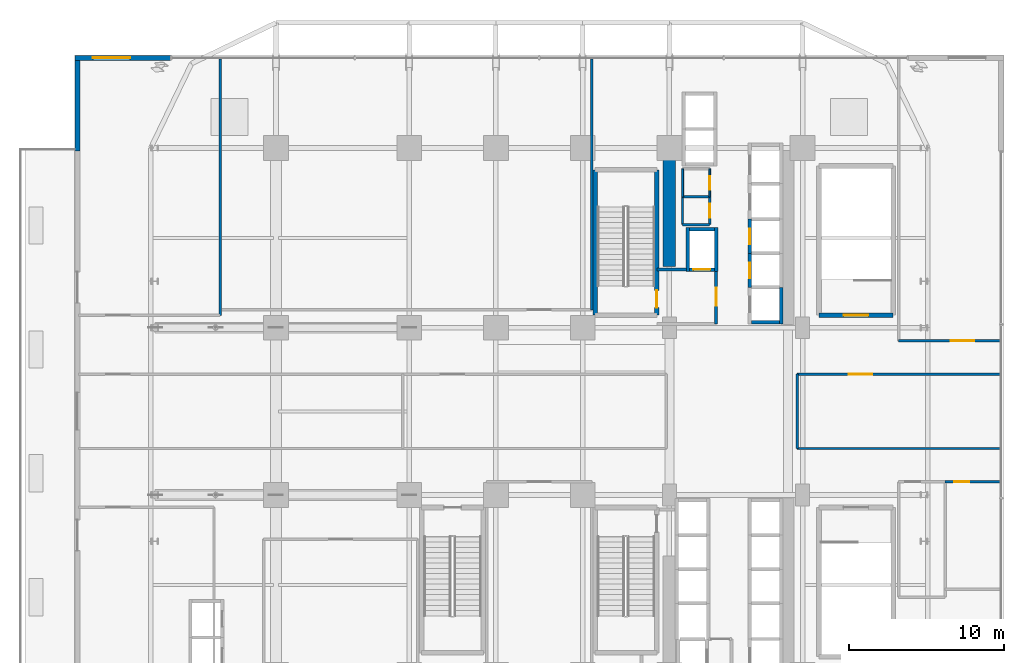
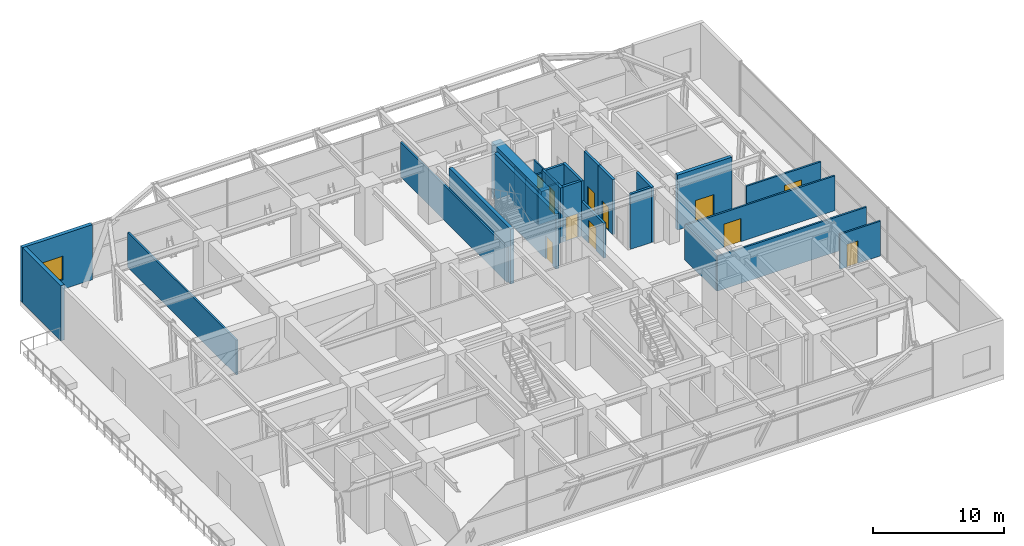
# One storey, part 22 of 29: 29 walls, 11 doors, 1 window, 12 openings.
"""IFC4 building model written with IfcOpenShell, lengths in metres."""

from ifc_helpers import new_model, si_unit, direction, frame, frame_2d, origin, place, context, subcontext, project, spatial, rectangle, extrude, source, transform, mapped, material, layer, layer_set, type_object, element, fill, save


model = new_model("IFC4")

# Units and contexts
model_context = context("Model", 3, precision=1e-05, world=origin(), true_north=direction((0.0, 1.0)))
body_context = subcontext(model_context, "Body", "Model", "MODEL_VIEW")
ifc_project = project(units=[si_unit("LENGTHUNIT", "METRE"), si_unit("AREAUNIT", "SQUARE_METRE"), si_unit("VOLUMEUNIT", "CUBIC_METRE"), si_unit("PLANEANGLEUNIT", "RADIAN"), si_unit("MASSUNIT", "GRAM", prefix="KILO")], contexts=[model_context])

# Site, building, storey
site_placement = place(None, origin())
site = spatial("IfcSite", under=ifc_project, at=site_placement, CompositionType="ELEMENT")
building_placement = place(site_placement, origin())
building = spatial("IfcBuilding", under=site, at=building_placement, Name="Nahalor Promenade Grand Hotel", CompositionType="ELEMENT")
storey_placement = place(building_placement, frame((0.0, 0.0, 27.0)))
storey = spatial("IfcBuildingStorey", under=building, at=storey_placement, Name="L05", CompositionType="ELEMENT", Elevation=27.0)

# Walls
ifc_material_1 = material(Name="Concrete B-70 (C60/75)", Category="concrete")
ifc_layer_1 = layer(ifc_material_1, 0.800048828125)
ifc_layer_set_1 = layer_set([ifc_layer_1], Name="Concrete B-70 (C60/75)")
wall_type_1 = type_object("IfcWallType", Name="Wall-CoreShear-800", PredefinedType="SHEAR", material=ifc_layer_set_1)
shared_shape_1 = source(origin(), body_context, "Body", "SweptSolid", [
    extrude(rectangle(XDim=7.64990234375, YDim=0.800048828125, at=frame_2d((3.824951171875, 0.0))), origin(), (0.0, 0.0, 1.0), 5.1201171875),
])
wall_1_placement = place(storey_placement, frame((8.39990234375, 9.35009765625, 0.0), z_axis=(0.0, 0.0, 1.0), x_axis=(0.0, 1.0, 0.0)))
element("IfcWall", 1, at=wall_1_placement, inside=storey, type_object=wall_type_1, Name="CWALL-L05-NW", PredefinedType="SHEAR", context=body_context, shape_type="MappedRepresentation", body=[
    mapped(shared_shape_1, transform((0.0, 0.0, 0.0), scale=1.0)),
])
ifc_material_2 = material(Name="Concrete B-50 (C40/50)", Category="concrete")
ifc_layer_2 = layer(ifc_material_2, 0.300048828125)
ifc_layer_set_2 = layer_set([ifc_layer_2], Name="Concrete B-50 (C40/50)")
wall_type_2 = type_object("IfcWallType", Name="Wall-ShaftShear-300", PredefinedType="SHEAR", material=ifc_layer_set_2)
shared_shape_2 = source(origin(), body_context, "Body", "SweptSolid", [
    extrude(rectangle(XDim=9.380126953125, YDim=0.300048828125, at=frame_2d((4.68994140625, 0.0))), origin(), (0.0, 0.0, 1.0), 5.1201171875),
])
wall_2_placement = place(storey_placement, frame((3.610107421875, 6.2099609375, 0.0), z_axis=(0.0, 0.0, 1.0), x_axis=(0.0, 1.0, 0.0)))
element("IfcWall", 2, at=wall_2_placement, inside=storey, type_object=wall_type_2, Name="L05 Exit Stair ST1 Shaft Wall W", PredefinedType="SHEAR", context=body_context, shape_type="MappedRepresentation", body=[
    mapped(shared_shape_2, transform((0.0, 0.0, 0.0), scale=1.0)),
])

# Wall, opening, door
wall_3_placement = place(storey_placement, frame((7.590087890625, 6.2099609375, 0.0), z_axis=(0.0, 0.0, 1.0), x_axis=(0.0, 1.0, 0.0)))
wall_3 = element("IfcWall", 3, at=wall_3_placement, inside=storey, type_object=wall_type_2, Name="L05 Exit Stair ST1 Shaft Wall E", PredefinedType="SHEAR", context=body_context, shape_type="MappedRepresentation", body=[
    mapped(shared_shape_2, transform((0.0, 0.0, 0.0), scale=1.0)),
])
opening_1_placement = place(wall_3_placement, frame((0.489990234375, 0.0, 0.0)))
opening_1 = element("IfcOpeningElement", 4, at=opening_1_placement, cuts=wall_3, Name="Opening D-ST1", PredefinedType="OPENING", context=body_context, shape_type="SweptSolid", body=[
    extrude(rectangle(XDim=1.10009765625, YDim=2.14990234375, at=frame_2d((0.550048828125, 1.074951171875))), frame((0.0, 0.159912109375, 0.0), z_axis=(0.0, -1.0, 0.0), x_axis=(1.0, 0.0, 0.0)), (0.0, 0.0, 1.0), 0.320068359375),
])
ifc_material_3 = material(Name="Steel S355JR", Category="steel")
door_type_1 = type_object("IfcDoorType", Name="Door-StairFire-1100", OperationType="NOTDEFINED", PredefinedType="DOOR", material=ifc_material_3)
shared_shape_3 = source(origin(), body_context, "Body", "SweptSolid", [
    extrude(rectangle(XDim=1.10009765625, YDim=2.14990234375, at=frame_2d((0.550048828125, 1.074951171875))), frame((0.0, 0.02490234375, 0.0), z_axis=(0.0, -1.0, 0.0), x_axis=(1.0, 0.0, 0.0)), (0.0, 0.0, 1.0), 0.050048828125),
])
door_1_placement = place(opening_1_placement, origin())
door_1 = element("IfcDoor", 5, at=door_1_placement, inside=storey, type_object=door_type_1, Name="DR-STAIR-ST1-L05", OperationType="SINGLE_SWING_RIGHT", OverallHeight=2.14990234375, OverallWidth=1.10009765625, PredefinedType="DOOR", context=body_context, shape_type="MappedRepresentation", body=[
    mapped(shared_shape_3, transform((0.0, 0.0, 0.0), scale=1.0)),
])
fill(opening_1, door_1)

shared_shape_4 = source(origin(), body_context, "Body", "SweptSolid", [
    extrude(rectangle(XDim=4.780029296875, YDim=0.300048828125, at=frame_2d((2.39013671875, 0.0))), origin(), (0.0, 0.0, 1.0), 5.1201171875),
])
wall_4_placement = place(storey_placement, frame((18.06005859375, 6.2099609375, 0.0), z_axis=(0.0, 0.0, 1.0), x_axis=(1.0, 0.0, 0.0)))
wall_4 = element("IfcWall", 6, at=wall_4_placement, inside=storey, type_object=wall_type_2, Name="L05 Exit Stair ST4 Shaft Wall S", PredefinedType="SHEAR", context=body_context, shape_type="MappedRepresentation", body=[
    mapped(shared_shape_4, transform((0.0, 0.0, 0.0), scale=1.0)),
])
opening_2_placement = place(wall_4_placement, frame((1.590087890625, 0.0, 0.0)))
opening_2 = element("IfcOpeningElement", 7, at=opening_2_placement, cuts=wall_4, Name="Opening D-ST2", PredefinedType="OPENING", context=body_context, shape_type="SweptSolid", body=[
    extrude(rectangle(XDim=1.60009765625, YDim=2.199951171875, at=frame_2d((0.800048828125, 1.10009765625))), frame((0.0, 0.159912109375, 0.0), z_axis=(0.0, -1.0, 0.0), x_axis=(1.0, 0.0, 0.0)), (0.0, 0.0, 1.0), 0.320068359375),
])
door_type_2 = type_object("IfcDoorType", Name="Door-StairGrand-1600", OperationType="DOUBLE_DOOR_SINGLE_SWING", PredefinedType="DOOR", material=ifc_material_3)
shared_shape_5 = source(origin(), body_context, "Body", "SweptSolid", [
    extrude(rectangle(XDim=1.60009765625, YDim=2.199951171875, at=frame_2d((0.800048828125, 1.10009765625))), frame((0.0, 0.02490234375, 0.0), z_axis=(0.0, -1.0, 0.0), x_axis=(1.0, 0.0, 0.0)), (0.0, 0.0, 1.0), 0.050048828125),
])
door_2_placement = place(opening_2_placement, origin())
door_2 = element("IfcDoor", 8, at=door_2_placement, inside=storey, type_object=door_type_2, Name="DR-STAIR-ST4-L05", OperationType="DOUBLE_DOOR_SINGLE_SWING", OverallHeight=2.199951171875, OverallWidth=1.60009765625, PredefinedType="DOOR", context=body_context, shape_type="MappedRepresentation", body=[
    mapped(shared_shape_5, transform((0.0, 0.0, 0.0), scale=1.0)),
])
fill(opening_2, door_2)

# Walls
ifc_layer_3 = layer(ifc_material_2, 0.219970703125)
ifc_layer_set_3 = layer_set([ifc_layer_3], Name="Concrete B-50 (C40/50)")
wall_type_3 = type_object("IfcWallType", Name="Wall-LiftShaft-220", PredefinedType="SHEAR", material=ifc_layer_set_3)
shared_shape_6 = source(origin(), body_context, "Body", "SweptSolid", [
    extrude(rectangle(XDim=2.360107421875, YDim=0.219970703125, at=frame_2d((1.18017578125, 0.0))), origin(), (0.0, 0.0, 1.0), 5.1201171875),
])
wall_5_placement = place(storey_placement, frame((15.6201171875, 5.639892578125, 0.0), z_axis=(0.0, 0.0, 1.0), x_axis=(0.0, 1.0, 0.0)))
element("IfcWall", 9, at=wall_5_placement, inside=storey, type_object=wall_type_3, Name="L05 Lift PL1 Hoistway Wall E", PredefinedType="SHEAR", context=body_context, shape_type="MappedRepresentation", body=[
    mapped(shared_shape_6, transform((0.0, 0.0, 0.0), scale=1.0)),
])
shared_shape_7 = source(origin(), body_context, "Body", "SweptSolid", [
    extrude(rectangle(XDim=1.820068359375, YDim=0.219970703125, at=frame_2d((0.91015625, 0.0))), origin(), (0.0, 0.0, 1.0), 5.1201171875),
])
wall_6_placement = place(storey_placement, frame((13.68994140625, 5.75, 0.0), z_axis=(0.0, 0.0, 1.0), x_axis=(1.0, 0.0, 0.0)))
element("IfcWall", 10, at=wall_6_placement, inside=storey, type_object=wall_type_3, Name="L05 Lift PL1 Hoistway Wall S", PredefinedType="SHEAR", context=body_context, shape_type="MappedRepresentation", body=[
    mapped(shared_shape_7, transform((0.0, 0.0, 0.0), scale=1.0)),
])

# Wall, opening, door
shared_shape_8 = source(origin(), body_context, "Body", "SweptSolid", [
    extrude(rectangle(XDim=2.199951171875, YDim=0.219970703125, at=frame_2d((1.10009765625, 0.0))), origin(), (0.0, 0.0, 1.0), 5.1201171875),
])
wall_7_placement = place(storey_placement, frame((13.580078125, 8.0, 0.0), z_axis=(0.0, 0.0, 1.0), x_axis=(0.0, 1.0, 0.0)))
wall_7 = element("IfcWall", 11, at=wall_7_placement, inside=storey, type_object=wall_type_3, Name="L05 Lift PL2 Hoistway Wall W", PredefinedType="SHEAR", context=body_context, shape_type="MappedRepresentation", body=[
    mapped(shared_shape_8, transform((0.0, 0.0, 0.0), scale=1.0)),
])
opening_3_placement = place(wall_7_placement, frame((0.60009765625, 0.0, 0.0)))
opening_3 = element("IfcOpeningElement", 12, at=opening_3_placement, cuts=wall_7, Name="Opening LD-01", PredefinedType="OPENING", context=body_context, shape_type="SweptSolid", body=[
    extrude(rectangle(XDim=1.0, YDim=2.199951171875, at=frame_2d((0.5, 1.10009765625))), frame((0.0, 0.119873046875, 0.0), z_axis=(0.0, -1.0, 0.0), x_axis=(1.0, 0.0, 0.0)), (0.0, 0.0, 1.0), 0.239990234375),
])
door_type_3 = type_object("IfcDoorType", Name="Door-LiftLanding-1000", OperationType="DOUBLE_DOOR_SLIDING", PredefinedType="DOOR", material=ifc_material_3)
shared_shape_9 = source(origin(), body_context, "Body", "SweptSolid", [
    extrude(rectangle(XDim=1.0, YDim=2.199951171875, at=frame_2d((0.5, 1.10009765625))), frame((0.0, 0.02490234375, 0.0), z_axis=(0.0, -1.0, 0.0), x_axis=(1.0, 0.0, 0.0)), (0.0, 0.0, 1.0), 0.050048828125),
])
door_3_placement = place(opening_3_placement, origin())
door_3 = element("IfcDoor", 13, at=door_3_placement, inside=storey, type_object=door_type_3, Name="DR-LIFT-PL2-L05", OperationType="DOUBLE_DOOR_SLIDING", OverallHeight=2.199951171875, OverallWidth=1.0, PredefinedType="DOOR", context=body_context, shape_type="MappedRepresentation", body=[
    mapped(shared_shape_9, transform((0.0, 0.0, 0.0), scale=1.0)),
])
fill(opening_3, door_3)

wall_8_placement = place(storey_placement, frame((13.580078125, 10.199951171875, 0.0), z_axis=(0.0, 0.0, 1.0), x_axis=(0.0, 1.0, 0.0)))
wall_8 = element("IfcWall", 14, at=wall_8_placement, inside=storey, type_object=wall_type_3, Name="L05 Lift PL3 Hoistway Wall W", PredefinedType="SHEAR", context=body_context, shape_type="MappedRepresentation", body=[
    mapped(shared_shape_8, transform((0.0, 0.0, 0.0), scale=1.0)),
])
opening_4_placement = place(wall_8_placement, frame((0.60009765625, 0.0, 0.0)))
opening_4 = element("IfcOpeningElement", 15, at=opening_4_placement, cuts=wall_8, Name="Opening LD-01", PredefinedType="OPENING", context=body_context, shape_type="SweptSolid", body=[
    extrude(rectangle(XDim=1.0, YDim=2.199951171875, at=frame_2d((0.5, 1.10009765625))), frame((0.0, 0.119873046875, 0.0), z_axis=(0.0, -1.0, 0.0), x_axis=(1.0, 0.0, 0.0)), (0.0, 0.0, 1.0), 0.239990234375),
])
door_4_placement = place(opening_4_placement, origin())
door_4 = element("IfcDoor", 16, at=door_4_placement, inside=storey, type_object=door_type_3, Name="DR-LIFT-PL3-L05", OperationType="DOUBLE_DOOR_SLIDING", OverallHeight=2.199951171875, OverallWidth=1.0, PredefinedType="DOOR", context=body_context, shape_type="MappedRepresentation", body=[
    mapped(shared_shape_9, transform((0.0, 0.0, 0.0), scale=1.0)),
])
fill(opening_4, door_4)

# Walls
shared_shape_10 = source(origin(), body_context, "Body", "SweptSolid", [
    extrude(rectangle(XDim=2.820068359375, YDim=0.219970703125, at=frame_2d((1.41015625, 0.0))), origin(), (0.0, 0.0, 1.0), 5.1201171875),
])
for number, where, z_axis, x_axis, name in (
    (17, (9.580078125, 9.0400390625, 0.0), (0.0, 0.0, 1.0), (0.0, 1.0, 0.0), "L05 Lift FL1 Hoistway Wall W"),
    (18, (11.419921875, 9.0400390625, 0.0), (0.0, 0.0, 1.0), (0.0, 1.0, 0.0), "L05 Lift FL1 Hoistway Wall E"),
):
    element("IfcWall", number, at=place(storey_placement, frame(where, z_axis=z_axis, x_axis=x_axis)), inside=storey, type_object=wall_type_3, Name=name, PredefinedType="SHEAR", context=body_context, shape_type="MappedRepresentation", body=[
        mapped(shared_shape_10, transform((0.0, 0.0, 0.0), scale=1.0)),
    ])

# Wall, opening, door
shared_shape_11 = source(origin(), body_context, "Body", "SweptSolid", [
    extrude(rectangle(XDim=1.6201171875, YDim=0.219970703125, at=frame_2d((0.81005859375, 0.0))), origin(), (0.0, 0.0, 1.0), 5.1201171875),
])
wall_9_placement = place(storey_placement, frame((9.68994140625, 9.14990234375, 0.0), z_axis=(0.0, 0.0, 1.0), x_axis=(1.0, 0.0, 0.0)))
wall_9 = element("IfcWall", 19, at=wall_9_placement, inside=storey, type_object=wall_type_3, Name="L05 Lift FL1 Hoistway Wall S", PredefinedType="SHEAR", context=body_context, shape_type="MappedRepresentation", body=[
    mapped(shared_shape_11, transform((0.0, 0.0, 0.0), scale=1.0)),
])
opening_5_placement = place(wall_9_placement, frame((0.260009765625, 0.0, 0.0)))
opening_5 = element("IfcOpeningElement", 20, at=opening_5_placement, cuts=wall_9, Name="Opening LD-02", PredefinedType="OPENING", context=body_context, shape_type="SweptSolid", body=[
    extrude(rectangle(XDim=1.10009765625, YDim=2.199951171875, at=frame_2d((0.550048828125, 1.10009765625))), frame((0.0, 0.119873046875, 0.0), z_axis=(0.0, -1.0, 0.0), x_axis=(1.0, 0.0, 0.0)), (0.0, 0.0, 1.0), 0.239990234375),
])
door_type_4 = type_object("IfcDoorType", Name="Door-LiftFF-1100", OperationType="DOUBLE_DOOR_SLIDING", PredefinedType="DOOR", material=ifc_material_3)
shared_shape_12 = source(origin(), body_context, "Body", "SweptSolid", [
    extrude(rectangle(XDim=1.10009765625, YDim=2.199951171875, at=frame_2d((0.550048828125, 1.10009765625))), frame((0.0, 0.02490234375, 0.0), z_axis=(0.0, -1.0, 0.0), x_axis=(1.0, 0.0, 0.0)), (0.0, 0.0, 1.0), 0.050048828125),
])
door_5_placement = place(opening_5_placement, frame((1.10009765625, 0.0, 0.0), z_axis=(0.0, 0.0, 1.0), x_axis=(-1.0, 0.0, 0.0)))
door_5 = element("IfcDoor", 21, at=door_5_placement, inside=storey, type_object=door_type_4, Name="DR-LIFT-FL1-L05", OperationType="DOUBLE_DOOR_SLIDING", OverallHeight=2.199951171875, OverallWidth=1.10009765625, PredefinedType="DOOR", context=body_context, shape_type="MappedRepresentation", body=[
    mapped(shared_shape_12, transform((0.0, 0.0, 0.0), scale=1.0)),
])
fill(opening_5, door_5)

# Wall
wall_10_placement = place(storey_placement, frame((9.68994140625, 11.75, 0.0), z_axis=(0.0, 0.0, 1.0), x_axis=(1.0, 0.0, 0.0)))
element("IfcWall", 22, at=wall_10_placement, inside=storey, type_object=wall_type_3, Name="L05 Lift FL1 Hoistway Wall N", PredefinedType="SHEAR", context=body_context, shape_type="MappedRepresentation", body=[
    mapped(shared_shape_11, transform((0.0, 0.0, 0.0), scale=1.0)),
])

# Wall, opening, window
ifc_material_4 = material(Name="Concrete B-40 (C32/40)", Category="concrete")
ifc_layer_4 = layer(ifc_material_4, 0.320068359375)
ifc_layer_set_4 = layer_set([ifc_layer_4], Name="Concrete B-40 (C32/40)")
wall_type_4 = type_object("IfcWallType", Name="Wall-LimestonePier-320", PredefinedType="STANDARD", material=ifc_layer_set_4)
shared_shape_13 = source(origin(), body_context, "Body", "SweptSolid", [
    extrude(rectangle(XDim=6.159912109375, YDim=0.320068359375, at=frame_2d((3.080078125, 0.0))), origin(), (0.0, 0.0, 1.0), 5.1201171875),
])
wall_11_placement = place(storey_placement, frame((-29.97998046875, 22.820068359375, 0.0), z_axis=(0.0, 0.0, 1.0), x_axis=(1.0, 0.0, 0.0)))
wall_11 = element("IfcWall", 23, at=wall_11_placement, inside=storey, type_object=wall_type_4, Name="W-L05-CRN-NW-X", PredefinedType="STANDARD", context=body_context, shape_type="MappedRepresentation", body=[
    mapped(shared_shape_13, transform((0.0, 0.0, 0.0), scale=1.0)),
])
opening_6_placement = place(wall_11_placement, frame((1.159912109375, 0.0, 0.89990234375)))
opening_6 = element("IfcOpeningElement", 24, at=opening_6_placement, cuts=wall_11, Name="Opening WN-02", PredefinedType="OPENING", context=body_context, shape_type="SweptSolid", body=[
    extrude(rectangle(XDim=2.39990234375, YDim=2.199951171875, at=frame_2d((1.199951171875, 1.10009765625))), frame((0.0, 0.169921875, 0.0), z_axis=(0.0, -1.0, 0.0), x_axis=(1.0, 0.0, 0.0)), (0.0, 0.0, 1.0), 0.340087890625),
])
ifc_material_5 = material(Name="Low-E Laminated Solar Glass", Category="glass")
window_type = type_object("IfcWindowType", Name="Win-PodiumArch-2400x2200", PartitioningType="SINGLE_PANEL", PredefinedType="WINDOW", material=ifc_material_5)
shared_shape_14 = source(origin(), body_context, "Body", "SweptSolid", [
    extrude(rectangle(XDim=2.39990234375, YDim=2.199951171875, at=frame_2d((1.199951171875, 1.10009765625))), frame((0.0, 0.030029296875, 0.0), z_axis=(0.0, -1.0, 0.0), x_axis=(1.0, 0.0, 0.0)), (0.0, 0.0, 1.0), 0.06005859375),
])
window_placement = place(opening_6_placement, origin())
window = element("IfcWindow", 25, at=window_placement, inside=storey, type_object=window_type, Name="WN-L05-NW-X", OverallHeight=2.199951171875, OverallWidth=2.39990234375, PartitioningType="SINGLE_PANEL", PredefinedType="WINDOW", context=body_context, shape_type="MappedRepresentation", body=[
    mapped(shared_shape_14, transform((0.0, 0.0, 0.0), scale=1.0)),
])
fill(opening_6, window)

# Walls
shared_shape_15 = source(origin(), body_context, "Body", "SweptSolid", [
    extrude(rectangle(XDim=5.83984375, YDim=0.320068359375, at=frame_2d((2.919921875, 0.0))), origin(), (0.0, 0.0, 1.0), 5.1201171875),
])
wall_12_placement = place(storey_placement, frame((-29.820068359375, 16.820068359375, 0.0), z_axis=(0.0, 0.0, 1.0), x_axis=(0.0, 1.0, 0.0)))
element("IfcWall", 26, at=wall_12_placement, inside=storey, type_object=wall_type_4, Name="W-L05-CRN-NW-Y", PredefinedType="STANDARD", context=body_context, shape_type="MappedRepresentation", body=[
    mapped(shared_shape_15, transform((0.0, 0.0, 0.0), scale=1.0)),
])
ifc_layer_5 = layer(ifc_material_4, 0.199951171875)
ifc_layer_set_5 = layer_set([ifc_layer_5], Name="Concrete B-40 (C32/40)")
wall_type_5 = type_object("IfcWallType", Name="Wall-PartFire-200", PredefinedType="PARTITIONING", material=ifc_layer_set_5)
shared_shape_16 = source(origin(), body_context, "Body", "SweptSolid", [
    extrude(rectangle(XDim=1.89990234375, YDim=0.199951171875, at=frame_2d((0.949951171875, 0.0))), origin(), (0.0, 0.0, 1.0), 3.239990234375),
])
wall_13_placement = place(storey_placement, frame((7.60009765625, 9.14990234375, 0.0), z_axis=(0.0, 0.0, 1.0), x_axis=(1.0, 0.0, 0.0)))
element("IfcWall", 27, at=wall_13_placement, inside=storey, type_object=wall_type_5, Name="W-L05-FF1-N", PredefinedType="PARTITIONING", context=body_context, shape_type="MappedRepresentation", body=[
    mapped(shared_shape_16, transform((0.0, 0.0, 0.0), scale=1.0)),
])

# Wall, opening, door
shared_shape_17 = source(origin(), body_context, "Body", "SweptSolid", [
    extrude(rectangle(XDim=3.5, YDim=0.199951171875, at=frame_2d((1.75, 0.0))), origin(), (0.0, 0.0, 1.0), 3.239990234375),
])
wall_14_placement = place(storey_placement, frame((11.419921875, 5.64990234375, 0.0), z_axis=(0.0, 0.0, 1.0), x_axis=(0.0, 1.0, 0.0)))
wall_14 = element("IfcWall", 28, at=wall_14_placement, inside=storey, type_object=wall_type_5, Name="W-L05-FF1-E", PredefinedType="PARTITIONING", context=body_context, shape_type="MappedRepresentation", body=[
    mapped(shared_shape_17, transform((0.0, 0.0, 0.0), scale=1.0)),
])
opening_7_placement = place(wall_14_placement, frame((1.175048828125, 0.0, 0.0)))
opening_7 = element("IfcOpeningElement", 29, at=opening_7_placement, cuts=wall_14, Name="Opening D-FF1", PredefinedType="OPENING", context=body_context, shape_type="SweptSolid", body=[
    extrude(rectangle(XDim=1.14990234375, YDim=2.14990234375, at=frame_2d((0.574951171875, 1.074951171875))), frame((0.0, 0.10986328125, 0.0), z_axis=(0.0, -1.0, 0.0), x_axis=(1.0, 0.0, 0.0)), (0.0, 0.0, 1.0), 0.219970703125),
])
door_type_5 = type_object("IfcDoorType", Name="Door-FFLobby-1150", OperationType="NOTDEFINED", PredefinedType="DOOR", material=ifc_material_3)
shared_shape_18 = source(origin(), body_context, "Body", "SweptSolid", [
    extrude(rectangle(XDim=1.14990234375, YDim=2.14990234375, at=frame_2d((0.574951171875, 1.074951171875))), frame((0.0, 0.02490234375, 0.0), z_axis=(0.0, -1.0, 0.0), x_axis=(1.0, 0.0, 0.0)), (0.0, 0.0, 1.0), 0.050048828125),
])
door_6_placement = place(opening_7_placement, frame((1.14990234375, 0.0, 0.0), z_axis=(0.0, 0.0, 1.0), x_axis=(-1.0, 0.0, 0.0)))
door_6 = element("IfcDoor", 30, at=door_6_placement, inside=storey, type_object=door_type_5, Name="DR-L05-FFL1", OperationType="SINGLE_SWING_LEFT", OverallHeight=2.14990234375, OverallWidth=1.14990234375, PredefinedType="DOOR", context=body_context, shape_type="MappedRepresentation", body=[
    mapped(shared_shape_18, transform((0.0, 0.0, 0.0), scale=1.0)),
])
fill(opening_7, door_6)

# Walls
ifc_material_6 = material(Name="Acoustic Mineral Gypsum", Category="gypsum")
ifc_layer_6 = layer(ifc_material_6, 0.14990234375)
ifc_layer_set_6 = layer_set([ifc_layer_6], Name="Acoustic Mineral Gypsum")
wall_type_6 = type_object("IfcWallType", Name="Wall-PartService-150", PredefinedType="PARTITIONING", material=ifc_layer_set_6)
shared_shape_19 = source(origin(), body_context, "Body", "SweptSolid", [
    extrude(rectangle(XDim=1.75, YDim=0.14990234375, at=frame_2d((0.875, 0.0))), origin(), (0.0, 0.0, 1.0), 3.239990234375),
])
for number, where, z_axis, x_axis, name in (
    (31, (9.25, 12.050048828125, 0.0), (0.0, 0.0, 1.0), (1.0, 0.0, 0.0), "W-L05-CK2A-S"),
    (32, (9.25, 13.85009765625, 0.0), (0.0, 0.0, 1.0), (1.0, 0.0, 0.0), "W-L05-CK2A-N"),
):
    element("IfcWall", number, at=place(storey_placement, frame(where, z_axis=z_axis, x_axis=x_axis)), inside=storey, type_object=wall_type_6, Name=name, PredefinedType="PARTITIONING", context=body_context, shape_type="MappedRepresentation", body=[
        mapped(shared_shape_19, transform((0.0, 0.0, 0.0), scale=1.0)),
    ])
shared_shape_20 = source(origin(), body_context, "Body", "SweptSolid", [
    extrude(rectangle(XDim=1.800048828125, YDim=0.14990234375, at=frame_2d((0.89990234375, 0.0))), origin(), (0.0, 0.0, 1.0), 3.239990234375),
])
wall_15_placement = place(storey_placement, frame((9.25, 12.050048828125, 0.0), z_axis=(0.0, 0.0, 1.0), x_axis=(0.0, 1.0, 0.0)))
element("IfcWall", 33, at=wall_15_placement, inside=storey, type_object=wall_type_6, Name="W-L05-CK2A-W", PredefinedType="PARTITIONING", context=body_context, shape_type="MappedRepresentation", body=[
    mapped(shared_shape_20, transform((0.0, 0.0, 0.0), scale=1.0)),
])

# Wall, opening, door
wall_16_placement = place(storey_placement, frame((11.0, 12.050048828125, 0.0), z_axis=(0.0, 0.0, 1.0), x_axis=(0.0, 1.0, 0.0)))
wall_16 = element("IfcWall", 34, at=wall_16_placement, inside=storey, type_object=wall_type_6, Name="W-L05-CK2A-E", PredefinedType="PARTITIONING", context=body_context, shape_type="MappedRepresentation", body=[
    mapped(shared_shape_20, transform((0.0, 0.0, 0.0), scale=1.0)),
])
opening_8_placement = place(wall_16_placement, frame((0.4599609375, 0.0, 0.0)))
opening_8 = element("IfcOpeningElement", 35, at=opening_8_placement, cuts=wall_16, Name="Opening D-03", PredefinedType="OPENING", context=body_context, shape_type="SweptSolid", body=[
    extrude(rectangle(XDim=0.8798828125, YDim=2.10009765625, at=frame_2d((0.43994140625, 1.050048828125))), frame((0.0, 0.0849609375, 0.0), z_axis=(0.0, -1.0, 0.0), x_axis=(1.0, 0.0, 0.0)), (0.0, 0.0, 1.0), 0.169921875),
])
ifc_material_7 = material(Name="Fire-Rated Timber Composite", Category="wood")
door_type_6 = type_object("IfcDoorType", Name="Door-BathSwing-880", OperationType="NOTDEFINED", PredefinedType="DOOR", material=ifc_material_7)
shared_shape_21 = source(origin(), body_context, "Body", "SweptSolid", [
    extrude(rectangle(XDim=0.8798828125, YDim=2.10009765625, at=frame_2d((0.43994140625, 1.050048828125))), frame((0.0, 0.02490234375, 0.0), z_axis=(0.0, -1.0, 0.0), x_axis=(1.0, 0.0, 0.0)), (0.0, 0.0, 1.0), 0.050048828125),
])
door_7_placement = place(opening_8_placement, origin())
door_7 = element("IfcDoor", 36, at=door_7_placement, inside=storey, type_object=door_type_6, Name="DR-L05-CK2A", OperationType="SINGLE_SWING_LEFT", OverallHeight=2.10009765625, OverallWidth=0.8798828125, PredefinedType="DOOR", context=body_context, shape_type="MappedRepresentation", body=[
    mapped(shared_shape_21, transform((0.0, 0.0, 0.0), scale=1.0)),
])
fill(opening_8, door_7)

# Wall
ifc_layer_7 = layer(ifc_material_6, 0.1201171875)
ifc_layer_set_7 = layer_set([ifc_layer_7], Name="Acoustic Mineral Gypsum")
wall_type_7 = type_object("IfcWallType", Name="Wall-PartBath-120", PredefinedType="PARTITIONING", material=ifc_layer_set_7)
shared_shape_22 = source(origin(), body_context, "Body", "SweptSolid", [
    extrude(rectangle(XDim=1.7998046875, YDim=0.1201171875, at=frame_2d((0.89990234375, 0.0))), origin(), (0.0, 0.0, 1.0), 3.239990234375),
])
wall_17_placement = place(storey_placement, frame((9.25, 13.85009765625, 0.0), z_axis=(0.0, 0.0, 1.0), x_axis=(0.0, 1.0, 0.0)))
element("IfcWall", 37, at=wall_17_placement, inside=storey, type_object=wall_type_7, Name="W-L05-CK2B-W", PredefinedType="PARTITIONING", context=body_context, shape_type="MappedRepresentation", body=[
    mapped(shared_shape_22, transform((0.0, 0.0, 0.0), scale=1.0)),
])

# Wall, opening, door
wall_18_placement = place(storey_placement, frame((11.0, 13.85009765625, 0.0), z_axis=(0.0, 0.0, 1.0), x_axis=(0.0, 1.0, 0.0)))
wall_18 = element("IfcWall", 38, at=wall_18_placement, inside=storey, type_object=wall_type_7, Name="W-L05-CK2B-E", PredefinedType="PARTITIONING", context=body_context, shape_type="MappedRepresentation", body=[
    mapped(shared_shape_22, transform((0.0, 0.0, 0.0), scale=1.0)),
])
opening_9_placement = place(wall_18_placement, frame((0.4599609375, 0.0, 0.0)))
opening_9 = element("IfcOpeningElement", 39, at=opening_9_placement, cuts=wall_18, Name="Opening D-03", PredefinedType="OPENING", context=body_context, shape_type="SweptSolid", body=[
    extrude(rectangle(XDim=0.8798828125, YDim=2.10009765625, at=frame_2d((0.43994140625, 1.050048828125))), frame((0.0, 0.070068359375, 0.0), z_axis=(0.0, -1.0, 0.0), x_axis=(1.0, 0.0, 0.0)), (0.0, 0.0, 1.0), 0.14013671875),
])
door_8_placement = place(opening_9_placement, origin())
door_8 = element("IfcDoor", 40, at=door_8_placement, inside=storey, type_object=door_type_6, Name="DR-L05-CK2B", OperationType="SINGLE_SWING_RIGHT", OverallHeight=2.10009765625, OverallWidth=0.8798828125, PredefinedType="DOOR", context=body_context, shape_type="MappedRepresentation", body=[
    mapped(shared_shape_21, transform((0.0, 0.0, 0.0), scale=1.0)),
])
fill(opening_9, door_8)

# Walls
ifc_layer_8 = layer(ifc_material_6, 0.159912109375)
ifc_layer_set_8 = layer_set([ifc_layer_8], Name="Acoustic Mineral Gypsum")
wall_type_8 = type_object("IfcWallType", Name="Wall-PartCorridor-160", PredefinedType="PARTITIONING", material=ifc_layer_set_8)
shared_shape_23 = source(origin(), body_context, "Body", "SweptSolid", [
    extrude(rectangle(XDim=4.7998046875, YDim=0.159912109375, at=frame_2d((2.39990234375, 0.0))), origin(), (0.0, 0.0, 1.0), 3.239990234375),
])
wall_19_placement = place(storey_placement, frame((16.64990234375, -2.39990234375, 0.0), z_axis=(0.0, 0.0, 1.0), x_axis=(0.0, 1.0, 0.0)))
element("IfcWall", 41, at=wall_19_placement, inside=storey, type_object=wall_type_8, Name="W-L05-PR03-W", PredefinedType="PARTITIONING", context=body_context, shape_type="MappedRepresentation", body=[
    mapped(shared_shape_23, transform((0.0, 0.0, 0.0), scale=1.0)),
])
shared_shape_24 = source(origin(), body_context, "Body", "SweptSolid", [
    extrude(rectangle(XDim=13.110107421875, YDim=0.159912109375, at=frame_2d((6.55517578125, 0.0))), origin(), (0.0, 0.0, 1.0), 3.239990234375),
])
wall_20_placement = place(storey_placement, frame((16.64990234375, -2.39990234375, 0.0), z_axis=(0.0, 0.0, 1.0), x_axis=(1.0, 0.0, 0.0)))
element("IfcWall", 42, at=wall_20_placement, inside=storey, type_object=wall_type_8, Name="W-L05-PR03-S", PredefinedType="PARTITIONING", context=body_context, shape_type="MappedRepresentation", body=[
    mapped(shared_shape_24, transform((0.0, 0.0, 0.0), scale=1.0)),
])

# Wall, opening, door
wall_21_placement = place(storey_placement, frame((16.64990234375, 2.39990234375, 0.0), z_axis=(0.0, 0.0, 1.0), x_axis=(1.0, 0.0, 0.0)))
wall_21 = element("IfcWall", 43, at=wall_21_placement, inside=storey, type_object=wall_type_8, Name="W-L05-PR03-N", PredefinedType="PARTITIONING", context=body_context, shape_type="MappedRepresentation", body=[
    mapped(shared_shape_24, transform((0.0, 0.0, 0.0), scale=1.0)),
])
opening_10_placement = place(wall_21_placement, frame((3.337890625, 0.0, 0.0)))
opening_10 = element("IfcOpeningElement", 44, at=opening_10_placement, cuts=wall_21, Name="Opening D-02", PredefinedType="OPENING", context=body_context, shape_type="SweptSolid", body=[
    extrude(rectangle(XDim=1.5, YDim=2.14990234375, at=frame_2d((0.75, 1.074951171875))), frame((0.0, 0.08984375, 0.0), z_axis=(0.0, -1.0, 0.0), x_axis=(1.0, 0.0, 0.0)), (0.0, 0.0, 1.0), 0.179931640625),
])
door_type_7 = type_object("IfcDoorType", Name="Door-SuiteDouble-1500", OperationType="DOUBLE_DOOR_SINGLE_SWING", PredefinedType="DOOR", material=ifc_material_7)
shared_shape_25 = source(origin(), body_context, "Body", "SweptSolid", [
    extrude(rectangle(XDim=1.5, YDim=2.14990234375, at=frame_2d((0.75, 1.074951171875))), frame((0.0, 0.02490234375, 0.0), z_axis=(0.0, -1.0, 0.0), x_axis=(1.0, 0.0, 0.0)), (0.0, 0.0, 1.0), 0.050048828125),
])
door_9_placement = place(opening_10_placement, frame((1.5, 0.0, 0.0), z_axis=(0.0, 0.0, 1.0), x_axis=(-1.0, 0.0, 0.0)))
door_9 = element("IfcDoor", 45, at=door_9_placement, inside=storey, type_object=door_type_7, Name="DR-L05-PR03", OperationType="DOUBLE_DOOR_SINGLE_SWING", OverallHeight=2.14990234375, OverallWidth=1.5, PredefinedType="DOOR", context=body_context, shape_type="MappedRepresentation", body=[
    mapped(shared_shape_25, transform((0.0, 0.0, 0.0), scale=1.0)),
])
fill(opening_10, door_9)

# Walls
shared_shape_26 = source(origin(), body_context, "Body", "SweptSolid", [
    extrude(rectangle(XDim=16.56005859375, YDim=0.159912109375, at=frame_2d((8.280029296875, 0.0))), origin(), (0.0, 0.0, 1.0), 3.239990234375),
])
wall_22_placement = place(storey_placement, frame((-20.60009765625, 6.199951171875, 0.0), z_axis=(0.0, 0.0, 1.0), x_axis=(0.0, 1.0, 0.0)))
element("IfcWall", 46, at=wall_22_placement, inside=storey, type_object=wall_type_8, Name="W-L05-PR04-E", PredefinedType="PARTITIONING", context=body_context, shape_type="MappedRepresentation", body=[
    mapped(shared_shape_26, transform((0.0, 0.0, 0.0), scale=1.0)),
])
shared_shape_27 = source(origin(), body_context, "Body", "SweptSolid", [
    extrude(rectangle(XDim=16.2099609375, YDim=0.159912109375, at=frame_2d((8.10498046875, 0.0))), origin(), (0.0, 0.0, 1.0), 3.239990234375),
])
wall_23_placement = place(storey_placement, frame((3.39990234375, 6.550048828125, 0.0), z_axis=(0.0, 0.0, 1.0), x_axis=(0.0, 1.0, 0.0)))
element("IfcWall", 47, at=wall_23_placement, inside=storey, type_object=wall_type_8, Name="W-L05-PR05-E", PredefinedType="PARTITIONING", context=body_context, shape_type="MappedRepresentation", body=[
    mapped(shared_shape_27, transform((0.0, 0.0, 0.0), scale=1.0)),
])

# Wall, opening, door
shared_shape_28 = source(origin(), body_context, "Body", "SweptSolid", [
    extrude(rectangle(XDim=6.56005859375, YDim=0.159912109375, at=frame_2d((3.280029296875, 0.0))), origin(), (0.0, 0.0, 1.0), 3.239990234375),
])
wall_24_placement = place(storey_placement, frame((23.199951171875, 4.550048828125, 0.0), z_axis=(0.0, 0.0, 1.0), x_axis=(1.0, 0.0, 0.0)))
wall_24 = element("IfcWall", 48, at=wall_24_placement, inside=storey, type_object=wall_type_8, Name="W-L05-PR09-S", PredefinedType="PARTITIONING", context=body_context, shape_type="MappedRepresentation", body=[
    mapped(shared_shape_28, transform((0.0, 0.0, 0.0), scale=1.0)),
])
opening_11_placement = place(wall_24_placement, frame((3.364990234375, 0.0, 0.0)))
opening_11 = element("IfcOpeningElement", 49, at=opening_11_placement, cuts=wall_24, Name="Opening D-02", PredefinedType="OPENING", context=body_context, shape_type="SweptSolid", body=[
    extrude(rectangle(XDim=1.5, YDim=2.14990234375, at=frame_2d((0.75, 1.074951171875))), frame((0.0, 0.08984375, 0.0), z_axis=(0.0, -1.0, 0.0), x_axis=(1.0, 0.0, 0.0)), (0.0, 0.0, 1.0), 0.179931640625),
])
door_10_placement = place(opening_11_placement, origin())
door_10 = element("IfcDoor", 50, at=door_10_placement, inside=storey, type_object=door_type_7, Name="DR-L05-PR09", OperationType="DOUBLE_DOOR_SINGLE_SWING", OverallHeight=2.14990234375, OverallWidth=1.5, PredefinedType="DOOR", context=body_context, shape_type="MappedRepresentation", body=[
    mapped(shared_shape_25, transform((0.0, 0.0, 0.0), scale=1.0)),
])
fill(opening_11, door_10)

shared_shape_29 = source(origin(), body_context, "Body", "SweptSolid", [
    extrude(rectangle(XDim=3.56005859375, YDim=0.159912109375, at=frame_2d((1.780029296875, 0.0))), origin(), (0.0, 0.0, 1.0), 3.239990234375),
])
wall_25_placement = place(storey_placement, frame((26.199951171875, -4.550048828125, 0.0), z_axis=(0.0, 0.0, 1.0), x_axis=(1.0, 0.0, 0.0)))
wall_25 = element("IfcWall", 51, at=wall_25_placement, inside=storey, type_object=wall_type_8, Name="W-L05-PR11-N", PredefinedType="PARTITIONING", context=body_context, shape_type="MappedRepresentation", body=[
    mapped(shared_shape_29, transform((0.0, 0.0, 0.0), scale=1.0)),
])
opening_12_placement = place(wall_25_placement, frame((0.5859375, 0.0, 0.0)))
opening_12 = element("IfcOpeningElement", 52, at=opening_12_placement, cuts=wall_25, Name="Opening D-05", PredefinedType="OPENING", context=body_context, shape_type="SweptSolid", body=[
    extrude(rectangle(XDim=0.97998046875, YDim=2.10009765625, at=frame_2d((0.489990234375, 1.050048828125))), frame((0.0, 0.08984375, 0.0), z_axis=(0.0, -1.0, 0.0), x_axis=(1.0, 0.0, 0.0)), (0.0, 0.0, 1.0), 0.179931640625),
])
door_type_8 = type_object("IfcDoorType", Name="Door-AccessibleWC-980", OperationType="NOTDEFINED", PredefinedType="DOOR", material=ifc_material_7)
shared_shape_30 = source(origin(), body_context, "Body", "SweptSolid", [
    extrude(rectangle(XDim=0.97998046875, YDim=2.10009765625, at=frame_2d((0.489990234375, 1.050048828125))), frame((0.0, 0.02490234375, 0.0), z_axis=(0.0, -1.0, 0.0), x_axis=(1.0, 0.0, 0.0)), (0.0, 0.0, 1.0), 0.050048828125),
])
door_11_placement = place(opening_12_placement, frame((0.97998046875, 0.0, 0.0), z_axis=(0.0, 0.0, 1.0), x_axis=(-1.0, 0.0, 0.0)))
door_11 = element("IfcDoor", 53, at=door_11_placement, inside=storey, type_object=door_type_8, Name="DR-L05-PR11", OperationType="SINGLE_SWING_RIGHT", OverallHeight=2.10009765625, OverallWidth=0.97998046875, PredefinedType="DOOR", context=body_context, shape_type="MappedRepresentation", body=[
    mapped(shared_shape_30, transform((0.0, 0.0, 0.0), scale=1.0)),
])
fill(opening_12, door_11)

save(model, "model.ifc")
